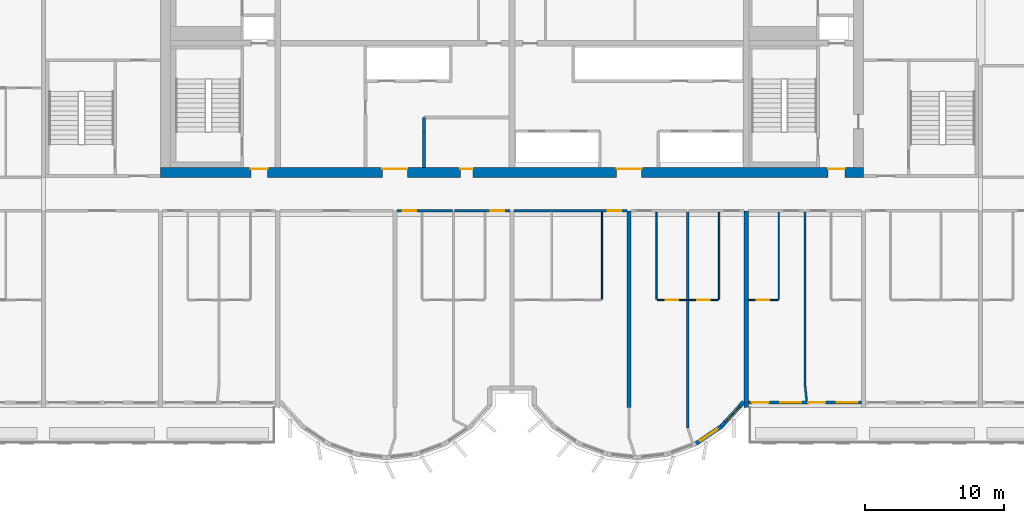
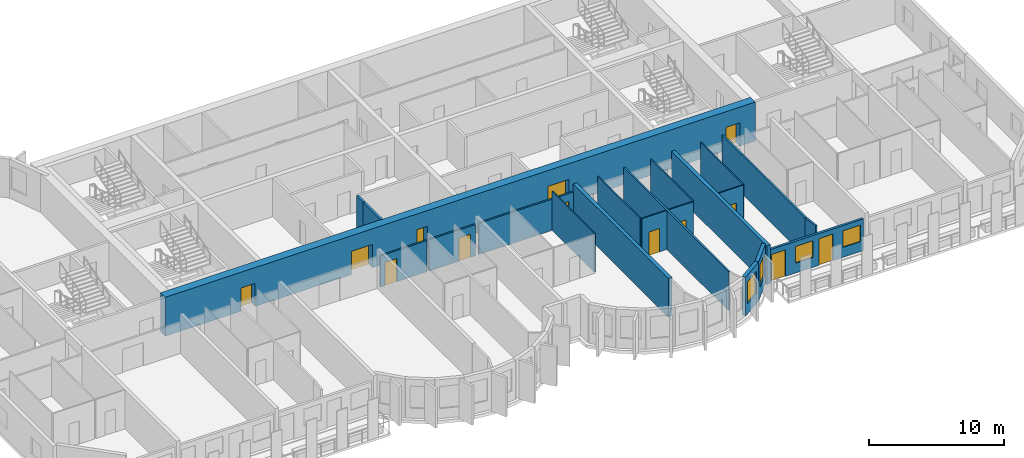
# One storey, part 5 of 13: 21 walls, 13 doors, 4 windows, 17 openings.
"""IFC4 building model written with IfcOpenShell, lengths in metres."""

from ifc_helpers import new_model, si_unit, direction, frame, frame_2d, origin, place, context, subcontext, project, spatial, rectangle, extrude, source, transform, mapped, material, layer, layer_set, type_object, element, fill, save


model = new_model("IFC4")

# Units and contexts
model_context = context("Model", 3, precision=1e-05, world=origin(), true_north=direction((0.0, 1.0)))
body_context = subcontext(model_context, "Body", "Model", "MODEL_VIEW")
ifc_project = project(units=[si_unit("LENGTHUNIT", "METRE"), si_unit("AREAUNIT", "SQUARE_METRE"), si_unit("VOLUMEUNIT", "CUBIC_METRE"), si_unit("PLANEANGLEUNIT", "RADIAN"), si_unit("MASSUNIT", "GRAM", prefix="KILO")], contexts=[model_context])

# Site, building, storey
site_placement = place(None, origin())
site = spatial("IfcSite", under=ifc_project, at=site_placement, CompositionType="ELEMENT")
building_placement = place(site_placement, origin())
building = spatial("IfcBuilding", under=site, at=building_placement, Name="Vanashikhar Sky Hotel", CompositionType="ELEMENT")
storey_placement = place(building_placement, frame((0.0, 0.0, 155.39990234375)))
storey = spatial("IfcBuildingStorey", under=building, at=storey_placement, Name="L37", CompositionType="ELEMENT", Elevation=155.39990234375)

# Wall, openings, doors
ifc_material_1 = material(Name="Concrete M60", Category="concrete")
ifc_layer_1 = layer(ifc_material_1, 0.699951171875)
ifc_layer_set_1 = layer_set([ifc_layer_1], Name="RC core shell wall 700 Concrete M60")
wall_type_1 = type_object("IfcWallType", Name="RC core shell wall 700 Concrete M60", PredefinedType="SHEAR", material=ifc_layer_set_1)
shared_shape_1 = source(origin(), body_context, "Body", "SweptSolid", [
    extrude(rectangle(XDim=50.400146484375, YDim=0.699951171875, at=frame_2d((25.2001953125, 0.0))), origin(), (0.0, 0.0, 1.0), 3.52001953125),
])
wall_1_placement = place(storey_placement, frame((25.199951171875, 22.35009765625, 0.0), z_axis=(0.0, 0.0, 1.0), x_axis=(1.0, 0.0, 0.0)))
wall_1 = element("IfcWall", 1, at=wall_1_placement, inside=storey, type_object=wall_type_1, Name="KW-L37-KS", PredefinedType="SHEAR", context=body_context, shape_type="MappedRepresentation", body=[
    mapped(shared_shape_1, transform((0.0, 0.0, 0.0), scale=1.0)),
])
shared_shape_2 = source(origin(), body_context, "Body", "SweptSolid", [
    extrude(rectangle(XDim=1.800048828125, YDim=2.10009765625, at=frame_2d((0.89990234375, 1.050048828125))), frame((0.0, 0.35986328125, 0.0), z_axis=(0.0, -1.0, 0.0), x_axis=(1.0, 0.0, 0.0)), (0.0, 0.0, 1.0), 0.719970703125),
])
opening_1_placement = place(wall_1_placement, frame((15.89990234375, 0.0, 0.0)))
opening_1 = element("IfcOpeningElement", 2, at=opening_1_placement, cuts=wall_1, Name="Opening DC-3-A", PredefinedType="OPENING", context=body_context, shape_type="MappedRepresentation", body=[
    mapped(shared_shape_2, transform((0.0, 0.0, 0.0), scale=1.0)),
])
shared_shape_3 = source(origin(), body_context, "Body", "SweptSolid", [
    extrude(rectangle(XDim=0.89990234375, YDim=2.10009765625, at=frame_2d((0.449951171875, 1.050048828125))), frame((0.0, 0.35986328125, 0.0), z_axis=(0.0, -1.0, 0.0), x_axis=(1.0, 0.0, 0.0)), (0.0, 0.0, 1.0), 0.719970703125),
])
opening_2_placement = place(wall_1_placement, frame((21.5, 0.0, 0.0)))
opening_2 = element("IfcOpeningElement", 3, at=opening_2_placement, cuts=wall_1, Name="Opening DC-4-A", PredefinedType="OPENING", context=body_context, shape_type="MappedRepresentation", body=[
    mapped(shared_shape_3, transform((0.0, 0.0, 0.0), scale=1.0)),
])
opening_3_placement = place(wall_1_placement, frame((32.699951171875, 0.0, 0.0)))
opening_3 = element("IfcOpeningElement", 4, at=opening_3_placement, cuts=wall_1, Name="Opening DC-3-A", PredefinedType="OPENING", context=body_context, shape_type="MappedRepresentation", body=[
    mapped(shared_shape_2, transform((0.0, 0.0, 0.0), scale=1.0)),
])
shared_shape_4 = source(origin(), body_context, "Body", "SweptSolid", [
    extrude(rectangle(XDim=1.199951171875, YDim=2.10009765625, at=frame_2d((0.60009765625, 1.050048828125))), frame((0.0, 0.35986328125, 0.0), z_axis=(0.0, -1.0, 0.0), x_axis=(1.0, 0.0, 0.0)), (0.0, 0.0, 1.0), 0.719970703125),
])
opening_4_placement = place(wall_1_placement, frame((6.47509765625, 0.0, 0.0)))
opening_4 = element("IfcOpeningElement", 5, at=opening_4_placement, cuts=wall_1, Name="Opening DC-2", PredefinedType="OPENING", context=body_context, shape_type="MappedRepresentation", body=[
    mapped(shared_shape_4, transform((0.0, 0.0, 0.0), scale=1.0)),
])
opening_5_placement = place(wall_1_placement, frame((47.875, 0.0, 0.0)))
opening_5 = element("IfcOpeningElement", 6, at=opening_5_placement, cuts=wall_1, Name="Opening DC-2", PredefinedType="OPENING", context=body_context, shape_type="MappedRepresentation", body=[
    mapped(shared_shape_4, transform((0.0, 0.0, 0.0), scale=1.0)),
])
ifc_material_2 = material(Name="Glass", Category="glass")
door_type_1 = type_object("IfcDoorType", Name="Lift lobby entrance door 1800 FD30S", OperationType="NOTDEFINED", PredefinedType="DOOR", material=ifc_material_2)
shared_shape_5 = source(origin(), body_context, "Body", "SweptSolid", [
    extrude(rectangle(XDim=1.800048828125, YDim=2.10009765625, at=frame_2d((0.89990234375, 1.050048828125))), frame((0.0, 0.27490234375, 0.0), z_axis=(0.0, -1.0, 0.0), x_axis=(1.0, 0.0, 0.0)), (0.0, 0.0, 1.0), 0.050048828125),
])
door_1_placement = place(opening_1_placement, origin())
door_1 = element("IfcDoor", 7, at=door_1_placement, inside=storey, type_object=door_type_1, Name="Lift lobby entrance door 1800 FD30S", OperationType="DOUBLE_DOOR_SINGLE_SWING", OverallHeight=2.10009765625, OverallWidth=1.800048828125, PredefinedType="DOOR", context=body_context, shape_type="MappedRepresentation", body=[
    mapped(shared_shape_5, transform((0.0, 0.0, 0.0), scale=1.0)),
])
fill(opening_1, door_1)
door_2_placement = place(opening_3_placement, origin())
door_2 = element("IfcDoor", 8, at=door_2_placement, inside=storey, type_object=door_type_1, Name="Lift lobby entrance door 1800 FD30S", OperationType="DOUBLE_DOOR_SINGLE_SWING", OverallHeight=2.10009765625, OverallWidth=1.800048828125, PredefinedType="DOOR", context=body_context, shape_type="MappedRepresentation", body=[
    mapped(shared_shape_5, transform((0.0, 0.0, 0.0), scale=1.0)),
])
fill(opening_3, door_2)
ifc_material_3 = material(Name="Steel", Category="steel")
door_type_2 = type_object("IfcDoorType", Name="Firefighting lobby door 1200 FD120", OperationType="NOTDEFINED", PredefinedType="DOOR", material=ifc_material_3)
shared_shape_6 = source(origin(), body_context, "Body", "SweptSolid", [
    extrude(rectangle(XDim=1.199951171875, YDim=2.10009765625, at=frame_2d((0.60009765625, 1.050048828125))), frame((0.0, 0.27490234375, 0.0), z_axis=(0.0, -1.0, 0.0), x_axis=(1.0, 0.0, 0.0)), (0.0, 0.0, 1.0), 0.050048828125),
])
door_3_placement = place(opening_4_placement, origin())
door_3 = element("IfcDoor", 9, at=door_3_placement, inside=storey, type_object=door_type_2, Name="Firefighting lobby door 1200 FD120", OperationType="SINGLE_SWING_RIGHT", OverallHeight=2.10009765625, OverallWidth=1.199951171875, PredefinedType="DOOR", context=body_context, shape_type="MappedRepresentation", body=[
    mapped(shared_shape_6, transform((0.0, 0.0, 0.0), scale=1.0)),
])
fill(opening_4, door_3)
door_4_placement = place(opening_5_placement, origin())
door_4 = element("IfcDoor", 10, at=door_4_placement, inside=storey, type_object=door_type_2, Name="Firefighting lobby door 1200 FD120", OperationType="SINGLE_SWING_RIGHT", OverallHeight=2.10009765625, OverallWidth=1.199951171875, PredefinedType="DOOR", context=body_context, shape_type="MappedRepresentation", body=[
    mapped(shared_shape_6, transform((0.0, 0.0, 0.0), scale=1.0)),
])
fill(opening_5, door_4)
door_type_3 = type_object("IfcDoorType", Name="Service door 900 FD60", OperationType="NOTDEFINED", PredefinedType="DOOR", material=ifc_material_3)
shared_shape_7 = source(origin(), body_context, "Body", "SweptSolid", [
    extrude(rectangle(XDim=0.89990234375, YDim=2.10009765625, at=frame_2d((0.449951171875, 1.050048828125))), frame((0.0, 0.27490234375, 0.0), z_axis=(0.0, -1.0, 0.0), x_axis=(1.0, 0.0, 0.0)), (0.0, 0.0, 1.0), 0.050048828125),
])
door_5_placement = place(opening_2_placement, origin())
door_5 = element("IfcDoor", 11, at=door_5_placement, inside=storey, type_object=door_type_3, Name="Service door 900 FD60", OperationType="SINGLE_SWING_RIGHT", OverallHeight=2.10009765625, OverallWidth=0.89990234375, PredefinedType="DOOR", context=body_context, shape_type="MappedRepresentation", body=[
    mapped(shared_shape_7, transform((0.0, 0.0, 0.0), scale=1.0)),
])
fill(opening_2, door_5)

# Walls
ifc_layer_2 = layer(ifc_material_1, 0.300048828125)
ifc_layer_set_2 = layer_set([ifc_layer_2], Name="RC shear wall 300 Concrete M60")
wall_type_2 = type_object("IfcWallType", Name="RC shear wall 300 Concrete M60", PredefinedType="SHEAR", material=ifc_layer_set_2)
shared_shape_8 = source(origin(), body_context, "Body", "SweptSolid", [
    extrude(rectangle(XDim=14.10009765625, YDim=0.300048828125, at=frame_2d((7.050048828125, 0.0))), origin(), (0.0, 0.0, 1.0), 3.52001953125),
])
for number, where, z_axis, x_axis, name in (
    (12, (58.800048828125, 5.5, 0.0), (0.0, 0.0, 1.0), (0.0, 1.0, 0.0), "CW-L37-XW08-1"),
    (13, (67.199951171875, 5.5, 0.0), (0.0, 0.0, 1.0), (0.0, 1.0, 0.0), "CW-L37-XW09-1"),
):
    element("IfcWall", number, at=place(storey_placement, frame(where, z_axis=z_axis, x_axis=x_axis)), inside=storey, type_object=wall_type_2, Name=name, PredefinedType="SHEAR", context=body_context, shape_type="MappedRepresentation", body=[
        mapped(shared_shape_8, transform((0.0, 0.0, 0.0), scale=1.0)),
    ])

# Wall, opening, window
ifc_material_4 = material(Name="Concrete M50", Category="concrete")
ifc_layer_3 = layer(ifc_material_4, 0.300048828125)
ifc_layer_set_3 = layer_set([ifc_layer_3], Name="Lobe wall 300")
wall_type_3 = type_object("IfcWallType", Name="Lobe wall 300", PredefinedType="SOLIDWALL", material=ifc_layer_set_3)
shared_shape_9 = source(origin(), body_context, "Body", "SweptSolid", [
    extrude(rectangle(XDim=2.398193359375, YDim=0.300048828125, at=frame_2d((1.19921875, 0.0))), origin(), (0.0, 0.0, 1.0), 3.52001953125),
])
wall_2_placement = place(storey_placement, frame((65.404296875, 4.13134765625, 0.0), z_axis=(0.0, 0.0, 1.0), x_axis=(0.675374189419, 0.737475222815, 0.0)))
wall_2 = element("IfcWall", 14, at=wall_2_placement, inside=storey, type_object=wall_type_3, Name="Lobe wall", PredefinedType="SOLIDWALL", context=body_context, shape_type="MappedRepresentation", body=[
    mapped(shared_shape_9, transform((0.0, 0.0, 0.0), scale=1.0)),
])
shared_shape_10 = source(origin(), body_context, "Body", "SweptSolid", [
    extrude(rectangle(XDim=1.5, YDim=2.0, at=frame_2d((0.75, 1.0))), frame((0.0, 0.16015625, 0.0), z_axis=(0.0, -1.0, 0.0), x_axis=(1.0, 0.0, 0.0)), (0.0, 0.0, 1.0), 0.320068359375),
])
opening_6_placement = place(wall_2_placement, frame((0.44921875, 0.0, 0.89990234375)))
opening_6 = element("IfcOpeningElement", 15, at=opening_6_placement, cuts=wall_2, Name="Opening WN-2", PredefinedType="OPENING", context=body_context, shape_type="MappedRepresentation", body=[
    mapped(shared_shape_10, transform((0.0, 0.0, 0.0), scale=1.0)),
])
window_type_1 = type_object("IfcWindowType", Name="Lobe window 1500 x 2000", PartitioningType="SINGLE_PANEL", PredefinedType="WINDOW", material=ifc_material_2)
shared_shape_11 = source(origin(), body_context, "Body", "SweptSolid", [
    extrude(rectangle(XDim=1.5, YDim=2.0, at=frame_2d((0.75, 1.0))), frame((0.0, 0.030029296875, 0.0), z_axis=(0.0, -1.0, 0.0), x_axis=(1.0, 0.0, 0.0)), (0.0, 0.0, 1.0), 0.06005859375),
])
window_1_placement = place(opening_6_placement, origin())
window_1 = element("IfcWindow", 16, at=window_1_placement, inside=storey, type_object=window_type_1, Name="Window WN-2", OverallHeight=2.0, OverallWidth=1.5, PartitioningType="SINGLE_PANEL", PredefinedType="WINDOW", context=body_context, shape_type="MappedRepresentation", body=[
    mapped(shared_shape_11, transform((0.0, 0.0, 0.0), scale=1.0)),
])
fill(opening_6, window_1)

shared_shape_12 = source(origin(), body_context, "Body", "SweptSolid", [
    extrude(rectangle(XDim=2.17578125, YDim=0.300048828125, at=frame_2d((1.087890625, 0.0))), origin(), (0.0, 0.0, 1.0), 3.52001953125),
])
wall_3_placement = place(storey_placement, frame((63.59912109375, 2.91650390625, 0.0), z_axis=(0.0, 0.0, 1.0), x_axis=(0.829625727223, 0.558319937607, 0.0)))
wall_3 = element("IfcWall", 17, at=wall_3_placement, inside=storey, type_object=wall_type_3, Name="Lobe wall", PredefinedType="SOLIDWALL", context=body_context, shape_type="MappedRepresentation", body=[
    mapped(shared_shape_12, transform((0.0, 0.0, 0.0), scale=1.0)),
])
opening_7_placement = place(wall_3_placement, frame((0.337890625, 0.0, 0.89990234375)))
opening_7 = element("IfcOpeningElement", 18, at=opening_7_placement, cuts=wall_3, Name="Opening WN-2", PredefinedType="OPENING", context=body_context, shape_type="MappedRepresentation", body=[
    mapped(shared_shape_10, transform((0.0, 0.0, 0.0), scale=1.0)),
])
window_2_placement = place(opening_7_placement, origin())
window_2 = element("IfcWindow", 19, at=window_2_placement, inside=storey, type_object=window_type_1, Name="Window WN-2", OverallHeight=2.0, OverallWidth=1.5, PartitioningType="SINGLE_PANEL", PredefinedType="WINDOW", context=body_context, shape_type="MappedRepresentation", body=[
    mapped(shared_shape_11, transform((0.0, 0.0, 0.0), scale=1.0)),
])
fill(opening_7, window_2)

# Wall, openings, windows, doors
ifc_layer_4 = layer(ifc_material_4, 0.199951171875)
ifc_layer_set_4 = layer_set([ifc_layer_4], Name="Front window wall 200")
wall_type_4 = type_object("IfcWallType", Name="Front window wall 200", PredefinedType="SOLIDWALL", material=ifc_layer_set_4)
shared_shape_13 = source(origin(), body_context, "Body", "SweptSolid", [
    extrude(rectangle(XDim=8.099853515625, YDim=0.199951171875, at=frame_2d((4.0498046875, 0.0))), origin(), (0.0, 0.0, 1.0), 2.8701171875),
])
wall_4_placement = place(storey_placement, frame((67.35009765625, 5.85009765625, 0.0), z_axis=(0.0, 0.0, 1.0), x_axis=(1.0, 0.0, 0.0)))
wall_4 = element("IfcWall", 20, at=wall_4_placement, inside=storey, type_object=wall_type_4, Name="Front window wall", PredefinedType="SOLIDWALL", context=body_context, shape_type="MappedRepresentation", body=[
    mapped(shared_shape_13, transform((0.0, 0.0, 0.0), scale=1.0)),
])
shared_shape_14 = source(origin(), body_context, "Body", "SweptSolid", [
    extrude(rectangle(XDim=1.199951171875, YDim=2.39990234375, at=frame_2d((0.60009765625, 1.199951171875))), frame((0.0, 0.10986328125, 0.0), z_axis=(0.0, -1.0, 0.0), x_axis=(1.0, 0.0, 0.0)), (0.0, 0.0, 1.0), 0.219970703125),
])
opening_8_placement = place(wall_4_placement, frame((0.25, 0.0, 0.0)))
opening_8 = element("IfcOpeningElement", 21, at=opening_8_placement, cuts=wall_4, Name="Opening BD-06", PredefinedType="OPENING", context=body_context, shape_type="MappedRepresentation", body=[
    mapped(shared_shape_14, transform((0.0, 0.0, 0.0), scale=1.0)),
])
shared_shape_15 = source(origin(), body_context, "Body", "SweptSolid", [
    extrude(rectangle(XDim=1.5, YDim=1.5, at=frame_2d((0.75, 0.75))), frame((0.0, 0.10986328125, 0.0), z_axis=(0.0, -1.0, 0.0), x_axis=(1.0, 0.0, 0.0)), (0.0, 0.0, 1.0), 0.219970703125),
])
opening_9_placement = place(wall_4_placement, frame((2.300048828125, 0.0, 0.89990234375)))
opening_9 = element("IfcOpeningElement", 22, at=opening_9_placement, cuts=wall_4, Name="Opening WN-1", PredefinedType="OPENING", context=body_context, shape_type="MappedRepresentation", body=[
    mapped(shared_shape_15, transform((0.0, 0.0, 0.0), scale=1.0)),
])
opening_10_placement = place(wall_4_placement, frame((4.300048828125, 0.0, 0.0)))
opening_10 = element("IfcOpeningElement", 23, at=opening_10_placement, cuts=wall_4, Name="Opening BD-07", PredefinedType="OPENING", context=body_context, shape_type="MappedRepresentation", body=[
    mapped(shared_shape_14, transform((0.0, 0.0, 0.0), scale=1.0)),
])
opening_11_placement = place(wall_4_placement, frame((6.35009765625, 0.0, 0.89990234375)))
opening_11 = element("IfcOpeningElement", 24, at=opening_11_placement, cuts=wall_4, Name="Opening WN-1", PredefinedType="OPENING", context=body_context, shape_type="MappedRepresentation", body=[
    mapped(shared_shape_15, transform((0.0, 0.0, 0.0), scale=1.0)),
])
window_type_2 = type_object("IfcWindowType", Name="Window 1500 x 1500", PartitioningType="SINGLE_PANEL", PredefinedType="WINDOW", material=ifc_material_2)
shared_shape_16 = source(origin(), body_context, "Body", "SweptSolid", [
    extrude(rectangle(XDim=1.5, YDim=1.5, at=frame_2d((0.75, 0.75))), frame((0.0, 0.030029296875, 0.0), z_axis=(0.0, -1.0, 0.0), x_axis=(1.0, 0.0, 0.0)), (0.0, 0.0, 1.0), 0.06005859375),
])
window_3_placement = place(opening_9_placement, origin())
window_3 = element("IfcWindow", 25, at=window_3_placement, inside=storey, type_object=window_type_2, Name="Window WN-1", OverallHeight=1.5, OverallWidth=1.5, PartitioningType="SINGLE_PANEL", PredefinedType="WINDOW", context=body_context, shape_type="MappedRepresentation", body=[
    mapped(shared_shape_16, transform((0.0, 0.0, 0.0), scale=1.0)),
])
fill(opening_9, window_3)
window_4_placement = place(opening_11_placement, origin())
window_4 = element("IfcWindow", 26, at=window_4_placement, inside=storey, type_object=window_type_2, Name="Window WN-1", OverallHeight=1.5, OverallWidth=1.5, PartitioningType="SINGLE_PANEL", PredefinedType="WINDOW", context=body_context, shape_type="MappedRepresentation", body=[
    mapped(shared_shape_16, transform((0.0, 0.0, 0.0), scale=1.0)),
])
fill(opening_11, window_4)
ifc_material_5 = material(Name="Aluminium", Category="aluminium")
door_type_4 = type_object("IfcDoorType", Name="Balcony sliding door 1200 x 2400", OperationType="NOTDEFINED", PredefinedType="DOOR", material=ifc_material_5)
shared_shape_17 = source(origin(), body_context, "Body", "SweptSolid", [
    extrude(rectangle(XDim=1.199951171875, YDim=2.39990234375, at=frame_2d((0.60009765625, 1.199951171875))), frame((0.0, 0.02490234375, 0.0), z_axis=(0.0, -1.0, 0.0), x_axis=(1.0, 0.0, 0.0)), (0.0, 0.0, 1.0), 0.050048828125),
])
door_6_placement = place(opening_8_placement, origin())
door_6 = element("IfcDoor", 27, at=door_6_placement, inside=storey, type_object=door_type_4, Name="Balcony sliding door", OperationType="SLIDING_TO_RIGHT", OverallHeight=2.39990234375, OverallWidth=1.199951171875, PredefinedType="DOOR", context=body_context, shape_type="MappedRepresentation", body=[
    mapped(shared_shape_17, transform((0.0, 0.0, 0.0), scale=1.0)),
])
fill(opening_8, door_6)
door_7_placement = place(opening_10_placement, origin())
door_7 = element("IfcDoor", 28, at=door_7_placement, inside=storey, type_object=door_type_4, Name="Balcony sliding door", OperationType="SLIDING_TO_LEFT", OverallHeight=2.39990234375, OverallWidth=1.199951171875, PredefinedType="DOOR", context=body_context, shape_type="MappedRepresentation", body=[
    mapped(shared_shape_17, transform((0.0, 0.0, 0.0), scale=1.0)),
])
fill(opening_10, door_7)

# Walls
ifc_material_6 = material(Name="Gypsum board partition")
ifc_layer_5 = layer(ifc_material_6, 0.14990234375)
ifc_layer_set_5 = layer_set([ifc_layer_5], Name="Service partition 150")
wall_type_5 = type_object("IfcWallType", Name="Service partition 150", PredefinedType="PARTITIONING", material=ifc_layer_set_5)
shared_shape_18 = source(origin(), body_context, "Body", "SweptSolid", [
    extrude(rectangle(XDim=2.60009765625, YDim=0.199951171875, at=frame_2d((1.300048828125, 0.0))), origin(), (0.0, 0.0, 1.0), 3.52001953125),
])
wall_5_placement = place(storey_placement, frame((44.10009765625, 22.699951171875, 0.0), z_axis=(0.0, 0.0, 1.0), x_axis=(0.0, 1.0, 0.0)))
element("IfcWall", 29, at=wall_5_placement, inside=storey, type_object=wall_type_5, Name="Service partition 150", PredefinedType="PARTITIONING", context=body_context, shape_type="MappedRepresentation", body=[
    mapped(shared_shape_18, transform((0.0, 0.0, 0.0), scale=1.0)),
])
shared_shape_19 = source(origin(), body_context, "Body", "SweptSolid", [
    extrude(rectangle(XDim=1.0, YDim=0.199951171875, at=frame_2d((0.5, 0.0))), origin(), (0.0, 0.0, 1.0), 3.52001953125),
])
wall_6_placement = place(storey_placement, frame((44.10009765625, 25.300048828125, 0.0), z_axis=(0.0, 0.0, 1.0), x_axis=(0.0, 1.0, 0.0)))
element("IfcWall", 30, at=wall_6_placement, inside=storey, type_object=wall_type_5, Name="Service partition 150", PredefinedType="PARTITIONING", context=body_context, shape_type="MappedRepresentation", body=[
    mapped(shared_shape_19, transform((0.0, 0.0, 0.0), scale=1.0)),
])
ifc_material_7 = material(Name="Gypsum plasterboard partition")
ifc_layer_6 = layer(ifc_material_7, 0.10009765625)
ifc_layer_set_6 = layer_set([ifc_layer_6], Name="Wet room partition 100")
wall_type_6 = type_object("IfcWallType", Name="Wet room partition 100", PredefinedType="PARTITIONING", material=ifc_layer_set_6)
shared_shape_20 = source(origin(), body_context, "Body", "SweptSolid", [
    extrude(rectangle(XDim=6.25, YDim=0.10009765625, at=frame_2d((3.125, 0.0))), origin(), (0.0, 0.0, 1.0), 3.52001953125),
])
for number, where, z_axis, x_axis, name in (
    (31, (56.85009765625, 13.27490234375, 0.0), (0.0, 0.0, 1.0), (0.0, 1.0, 0.0), "W-L37-PW022"),
    (32, (60.75, 13.27490234375, 0.0), (0.0, 0.0, 1.0), (0.0, 1.0, 0.0), "W-L37-PW027"),
    (33, (65.25, 13.27490234375, 0.0), (0.0, 0.0, 1.0), (0.0, 1.0, 0.0), "W-L37-PW030"),
    (34, (69.52490234375, 13.27490234375, 0.0), (0.0, 0.0, 1.0), (0.0, 1.0, 0.0), "W-L37-PW034"),
):
    element("IfcWall", number, at=place(storey_placement, frame(where, z_axis=z_axis, x_axis=x_axis)), inside=storey, type_object=wall_type_6, Name=name, PredefinedType="PARTITIONING", context=body_context, shape_type="MappedRepresentation", body=[
        mapped(shared_shape_20, transform((0.0, 0.0, 0.0), scale=1.0)),
    ])
ifc_layer_7 = layer(ifc_material_7, 0.14990234375)
ifc_layer_set_7 = layer_set([ifc_layer_7], Name="Corridor and demising partition 150")
wall_type_7 = type_object("IfcWallType", Name="Corridor and demising partition 150", PredefinedType="PARTITIONING", material=ifc_layer_set_7)
shared_shape_21 = source(origin(), body_context, "Body", "SweptSolid", [
    extrude(rectangle(XDim=12.27490234375, YDim=0.14990234375, at=frame_2d((6.137451171875, 0.0))), origin(), (0.0, 0.0, 1.0), 3.52001953125),
])
wall_7_placement = place(storey_placement, frame((71.39990234375, 7.25, 0.0), z_axis=(0.0, 0.0, 1.0), x_axis=(0.0, 1.0, 0.0)))
element("IfcWall", 35, at=wall_7_placement, inside=storey, type_object=wall_type_7, Name="W-L37-PW040", PredefinedType="PARTITIONING", context=body_context, shape_type="MappedRepresentation", body=[
    mapped(shared_shape_21, transform((0.0, 0.0, 0.0), scale=1.0)),
])
shared_shape_22 = source(origin(), body_context, "Body", "SweptSolid", [
    extrude(rectangle(XDim=15.497802734375, YDim=0.14990234375, at=frame_2d((7.7490234375, 0.0))), origin(), (0.0, 0.0, 1.0), 3.52001953125),
])
wall_8_placement = place(storey_placement, frame((63.0, 4.027099609375, 0.0), z_axis=(0.0, 0.0, 1.0), x_axis=(0.0, 1.0, 0.0)))
element("IfcWall", 36, at=wall_8_placement, inside=storey, type_object=wall_type_7, Name="W-L37-PW033", PredefinedType="PARTITIONING", context=body_context, shape_type="MappedRepresentation", body=[
    mapped(shared_shape_22, transform((0.0, 0.0, 0.0), scale=1.0)),
])
shared_shape_23 = source(origin(), body_context, "Body", "SweptSolid", [
    extrude(rectangle(XDim=1.306640625, YDim=0.14990234375, at=frame_2d((0.6533203125, 0.0))), origin(), (0.0, 0.0, 1.0), 3.52001953125),
])
wall_9_placement = place(storey_placement, frame((71.530029296875, 5.949951171875, 0.0), z_axis=(0.0, 0.0, 1.0), x_axis=(-0.099596223396, 0.99502793543, 0.0)))
element("IfcWall", 37, at=wall_9_placement, inside=storey, type_object=wall_type_7, Name="W-L37-PW040B0", PredefinedType="PARTITIONING", context=body_context, shape_type="MappedRepresentation", body=[
    mapped(shared_shape_23, transform((0.0, 0.0, 0.0), scale=1.0)),
])

# Wall, opening, door
shared_shape_24 = source(origin(), body_context, "Body", "SweptSolid", [
    extrude(rectangle(XDim=2.125, YDim=0.10009765625, at=frame_2d((1.0625, 0.0))), origin(), (0.0, 0.0, 1.0), 3.52001953125),
])
wall_10_placement = place(storey_placement, frame((60.800048828125, 13.199951171875, 0.0), z_axis=(0.0, 0.0, 1.0), x_axis=(1.0, 0.0, 0.0)))
wall_10 = element("IfcWall", 38, at=wall_10_placement, inside=storey, type_object=wall_type_6, Name="W-L37-PW028", PredefinedType="PARTITIONING", context=body_context, shape_type="MappedRepresentation", body=[
    mapped(shared_shape_24, transform((0.0, 0.0, 0.0), scale=1.0)),
])
shared_shape_25 = source(origin(), body_context, "Body", "SweptSolid", [
    extrude(rectangle(XDim=0.89990234375, YDim=2.10009765625, at=frame_2d((0.449951171875, 1.050048828125))), frame((0.0, 0.06005859375, 0.0), z_axis=(0.0, -1.0, 0.0), x_axis=(1.0, 0.0, 0.0)), (0.0, 0.0, 1.0), 0.1201171875),
])
opening_12_placement = place(wall_10_placement, frame((0.612060546875, 0.0, 0.0)))
opening_12 = element("IfcOpeningElement", 39, at=opening_12_placement, cuts=wall_10, Name="Opening D-02", PredefinedType="OPENING", context=body_context, shape_type="MappedRepresentation", body=[
    mapped(shared_shape_25, transform((0.0, 0.0, 0.0), scale=1.0)),
])
ifc_material_8 = material(Name="Timber door", Category="wood")
door_type_5 = type_object("IfcDoorType", Name="Internal door 900", OperationType="NOTDEFINED", PredefinedType="DOOR", material=ifc_material_8)
shared_shape_26 = source(origin(), body_context, "Body", "SweptSolid", [
    extrude(rectangle(XDim=0.89990234375, YDim=2.10009765625, at=frame_2d((0.449951171875, 1.050048828125))), frame((0.0, 0.02490234375, 0.0), z_axis=(0.0, -1.0, 0.0), x_axis=(1.0, 0.0, 0.0)), (0.0, 0.0, 1.0), 0.050048828125),
])
door_8_placement = place(opening_12_placement, origin())
door_8 = element("IfcDoor", 40, at=door_8_placement, inside=storey, type_object=door_type_5, Name="D-L37-017", OperationType="SINGLE_SWING_LEFT", OverallHeight=2.10009765625, OverallWidth=0.89990234375, PredefinedType="DOOR", context=body_context, shape_type="MappedRepresentation", body=[
    mapped(shared_shape_26, transform((0.0, 0.0, 0.0), scale=1.0)),
])
fill(opening_12, door_8)

wall_11_placement = place(storey_placement, frame((63.074951171875, 13.199951171875, 0.0), z_axis=(0.0, 0.0, 1.0), x_axis=(1.0, 0.0, 0.0)))
wall_11 = element("IfcWall", 41, at=wall_11_placement, inside=storey, type_object=wall_type_6, Name="W-L37-PW031", PredefinedType="PARTITIONING", context=body_context, shape_type="MappedRepresentation", body=[
    mapped(shared_shape_24, transform((0.0, 0.0, 0.0), scale=1.0)),
])
opening_13_placement = place(wall_11_placement, frame((0.612060546875, 0.0, 0.0)))
opening_13 = element("IfcOpeningElement", 42, at=opening_13_placement, cuts=wall_11, Name="Opening D-02", PredefinedType="OPENING", context=body_context, shape_type="MappedRepresentation", body=[
    mapped(shared_shape_25, transform((0.0, 0.0, 0.0), scale=1.0)),
])
door_9_placement = place(opening_13_placement, origin())
door_9 = element("IfcDoor", 43, at=door_9_placement, inside=storey, type_object=door_type_5, Name="D-L37-019", OperationType="SINGLE_SWING_RIGHT", OverallHeight=2.10009765625, OverallWidth=0.89990234375, PredefinedType="DOOR", context=body_context, shape_type="MappedRepresentation", body=[
    mapped(shared_shape_26, transform((0.0, 0.0, 0.0), scale=1.0)),
])
fill(opening_13, door_9)

wall_12_placement = place(storey_placement, frame((67.35009765625, 13.199951171875, 0.0), z_axis=(0.0, 0.0, 1.0), x_axis=(1.0, 0.0, 0.0)))
wall_12 = element("IfcWall", 44, at=wall_12_placement, inside=storey, type_object=wall_type_6, Name="W-L37-PW035", PredefinedType="PARTITIONING", context=body_context, shape_type="MappedRepresentation", body=[
    mapped(shared_shape_24, transform((0.0, 0.0, 0.0), scale=1.0)),
])
opening_14_placement = place(wall_12_placement, frame((0.612060546875, 0.0, 0.0)))
opening_14 = element("IfcOpeningElement", 45, at=opening_14_placement, cuts=wall_12, Name="Opening D-02", PredefinedType="OPENING", context=body_context, shape_type="MappedRepresentation", body=[
    mapped(shared_shape_25, transform((0.0, 0.0, 0.0), scale=1.0)),
])
door_10_placement = place(opening_14_placement, origin())
door_10 = element("IfcDoor", 46, at=door_10_placement, inside=storey, type_object=door_type_5, Name="D-L37-021", OperationType="SINGLE_SWING_RIGHT", OverallHeight=2.10009765625, OverallWidth=0.89990234375, PredefinedType="DOOR", context=body_context, shape_type="MappedRepresentation", body=[
    mapped(shared_shape_26, transform((0.0, 0.0, 0.0), scale=1.0)),
])
fill(opening_14, door_10)

shared_shape_27 = source(origin(), body_context, "Body", "SweptSolid", [
    extrude(rectangle(XDim=3.97509765625, YDim=0.14990234375, at=frame_2d((1.987548828125, 0.0))), origin(), (0.0, 0.0, 1.0), 2.820068359375),
])
wall_13_placement = place(storey_placement, frame((42.14990234375, 19.60009765625, 0.0), z_axis=(0.0, 0.0, 1.0), x_axis=(1.0, 0.0, 0.0)))
wall_13 = element("IfcWall", 47, at=wall_13_placement, inside=storey, type_object=wall_type_7, Name="W-L37-PW017", PredefinedType="PARTITIONING", context=body_context, shape_type="MappedRepresentation", body=[
    mapped(shared_shape_27, transform((0.0, 0.0, 0.0), scale=1.0)),
])
shared_shape_28 = source(origin(), body_context, "Body", "SweptSolid", [
    extrude(rectangle(XDim=1.0, YDim=2.10009765625, at=frame_2d((0.5, 1.050048828125))), frame((0.0, 0.0849609375, 0.0), z_axis=(0.0, -1.0, 0.0), x_axis=(1.0, 0.0, 0.0)), (0.0, 0.0, 1.0), 0.169921875),
])
opening_15_placement = place(wall_13_placement, frame((0.39990234375, 0.0, 0.0)))
opening_15 = element("IfcOpeningElement", 48, at=opening_15_placement, cuts=wall_13, Name="Opening D-01", PredefinedType="OPENING", context=body_context, shape_type="MappedRepresentation", body=[
    mapped(shared_shape_28, transform((0.0, 0.0, 0.0), scale=1.0)),
])
ifc_material_9 = material(Name="Timber fire door", Category="wood")
door_type_6 = type_object("IfcDoorType", Name="Guest entry door 1000 FD30S", OperationType="NOTDEFINED", PredefinedType="DOOR", material=ifc_material_9)
shared_shape_29 = source(origin(), body_context, "Body", "SweptSolid", [
    extrude(rectangle(XDim=1.0, YDim=2.10009765625, at=frame_2d((0.5, 1.050048828125))), frame((0.0, 0.02490234375, 0.0), z_axis=(0.0, -1.0, 0.0), x_axis=(1.0, 0.0, 0.0)), (0.0, 0.0, 1.0), 0.050048828125),
])
door_11_placement = place(opening_15_placement, origin())
door_11 = element("IfcDoor", 49, at=door_11_placement, inside=storey, type_object=door_type_6, Name="D-L37-011", OperationType="SINGLE_SWING_LEFT", OverallHeight=2.10009765625, OverallWidth=1.0, PredefinedType="DOOR", context=body_context, shape_type="MappedRepresentation", body=[
    mapped(shared_shape_29, transform((0.0, 0.0, 0.0), scale=1.0)),
])
fill(opening_15, door_11)

wall_14_placement = place(storey_placement, frame((46.27490234375, 19.60009765625, 0.0), z_axis=(0.0, 0.0, 1.0), x_axis=(1.0, 0.0, 0.0)))
wall_14 = element("IfcWall", 50, at=wall_14_placement, inside=storey, type_object=wall_type_7, Name="W-L37-PW020", PredefinedType="PARTITIONING", context=body_context, shape_type="MappedRepresentation", body=[
    mapped(shared_shape_27, transform((0.0, 0.0, 0.0), scale=1.0)),
])
opening_16_placement = place(wall_14_placement, frame((2.574951171875, 0.0, 0.0)))
opening_16 = element("IfcOpeningElement", 51, at=opening_16_placement, cuts=wall_14, Name="Opening D-01", PredefinedType="OPENING", context=body_context, shape_type="MappedRepresentation", body=[
    mapped(shared_shape_28, transform((0.0, 0.0, 0.0), scale=1.0)),
])
door_12_placement = place(opening_16_placement, origin())
door_12 = element("IfcDoor", 52, at=door_12_placement, inside=storey, type_object=door_type_6, Name="D-L37-013", OperationType="SINGLE_SWING_RIGHT", OverallHeight=2.10009765625, OverallWidth=1.0, PredefinedType="DOOR", context=body_context, shape_type="MappedRepresentation", body=[
    mapped(shared_shape_29, transform((0.0, 0.0, 0.0), scale=1.0)),
])
fill(opening_16, door_12)

shared_shape_30 = source(origin(), body_context, "Body", "SweptSolid", [
    extrude(rectangle(XDim=8.099853515625, YDim=0.14990234375, at=frame_2d((4.0498046875, 0.0))), origin(), (0.0, 0.0, 1.0), 2.820068359375),
])
wall_15_placement = place(storey_placement, frame((50.550048828125, 19.60009765625, 0.0), z_axis=(0.0, 0.0, 1.0), x_axis=(1.0, 0.0, 0.0)))
wall_15 = element("IfcWall", 53, at=wall_15_placement, inside=storey, type_object=wall_type_7, Name="W-L37-PW026", PredefinedType="PARTITIONING", context=body_context, shape_type="MappedRepresentation", body=[
    mapped(shared_shape_30, transform((0.0, 0.0, 0.0), scale=1.0)),
])
opening_17_placement = place(wall_15_placement, frame((6.699951171875, 0.0, 0.0)))
opening_17 = element("IfcOpeningElement", 54, at=opening_17_placement, cuts=wall_15, Name="Opening D-01", PredefinedType="OPENING", context=body_context, shape_type="MappedRepresentation", body=[
    mapped(shared_shape_28, transform((0.0, 0.0, 0.0), scale=1.0)),
])
door_13_placement = place(opening_17_placement, origin())
door_13 = element("IfcDoor", 55, at=door_13_placement, inside=storey, type_object=door_type_6, Name="D-L37-016", OperationType="SINGLE_SWING_RIGHT", OverallHeight=2.10009765625, OverallWidth=1.0, PredefinedType="DOOR", context=body_context, shape_type="MappedRepresentation", body=[
    mapped(shared_shape_29, transform((0.0, 0.0, 0.0), scale=1.0)),
])
fill(opening_17, door_13)

save(model, "model.ifc")
